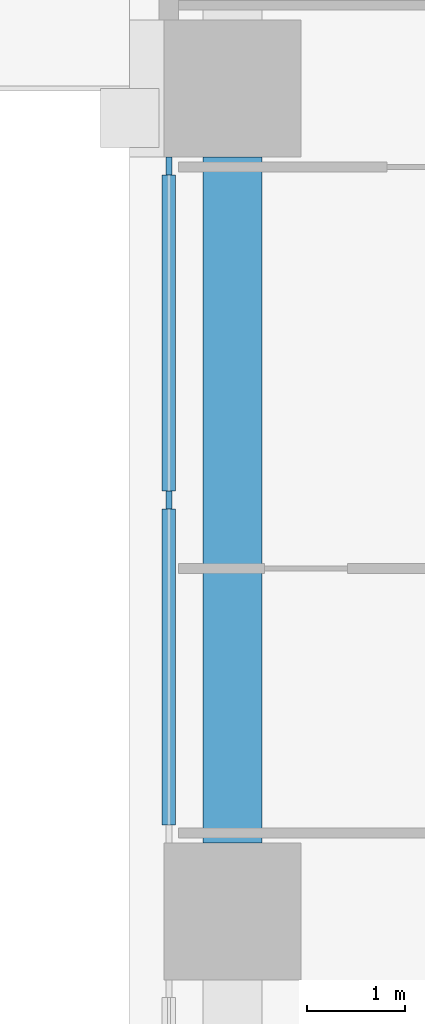
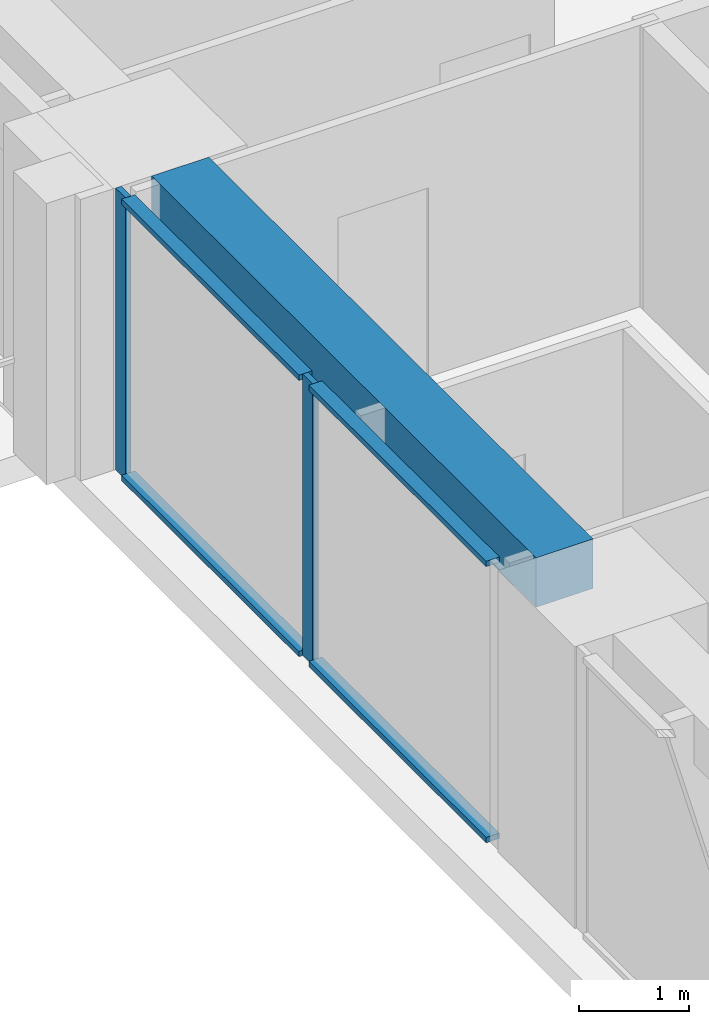
# One storey, part 3 of 16: 6 members, 1 beam, 1 element without a shape of its own.
"""IFC4 building model written with IfcOpenShell, lengths in metres."""

from ifc_helpers import new_model, si_unit, direction, frame, origin, origin_2d, place, context, subcontext, project, spatial, rectangle, extrude, material, material_profile, profile_set, type_object, element, aggregate, save


model = new_model("IFC4")

# Units and contexts
model_context = context("Model", 3, precision=1e-05, world=origin(), true_north=direction((0.0, 1.0)))
body_context = subcontext(model_context, "Body", "Model", "MODEL_VIEW")
ifc_project = project(units=[si_unit("LENGTHUNIT", "METRE"), si_unit("AREAUNIT", "SQUARE_METRE"), si_unit("VOLUMEUNIT", "CUBIC_METRE"), si_unit("PLANEANGLEUNIT", "RADIAN"), si_unit("MASSUNIT", "GRAM", prefix="KILO")], contexts=[model_context])

# Site, building, storey
site_placement = place(None, origin())
site = spatial("IfcSite", under=ifc_project, at=site_placement, CompositionType="ELEMENT")
building_placement = place(site_placement, origin())
building = spatial("IfcBuilding", under=site, at=building_placement, Name="Vermilion Ogive Tower", CompositionType="ELEMENT")
storey_placement = place(building_placement, frame((0.0, 0.0, 44.85009765625)))
storey = spatial("IfcBuildingStorey", under=building, at=storey_placement, Name="L09", CompositionType="ELEMENT", Elevation=44.85009765625)

# Curtain wall, members
ifc_material_1 = material(Name="Low-iron laminated glazing in aluminium frame", Category="aluminium")
curtain_wall_type = type_object("IfcCurtainWallType", Name="Curtain wall CW7", PredefinedType="NOTDEFINED", material=ifc_material_1)
curtain_wall_placement = place(storey_placement, origin())
curtain_wall = element("IfcCurtainWall", 1, at=curtain_wall_placement, inside=storey, type_object=curtain_wall_type, Name="Glazed skin W2", PredefinedType="NOTDEFINED")
ifc_material_2 = material(Name="Aluminium mullion", Category="aluminium")
ifc_material_profile_1 = material_profile(ifc_material_2, rectangle(XDim=0.06005859375, YDim=0.179931640625, at=origin_2d()), Name="AL 60x180")
ifc_profile_set_1 = profile_set([ifc_material_profile_1], Name="Aluminium mullion")
member_type_1 = type_object("IfcMemberType", Name="CW7 mullion 60x180", PredefinedType="MULLION", material=ifc_profile_set_1)
member_1_placement = place(storey_placement, frame((-25.85009765625, 3.409912109375, 0.0), z_axis=(0.0, 0.0, 1.0), x_axis=(1.0, 0.0, 0.0)))
member_1 = element("IfcMember", 2, at=member_1_placement, type_object=member_type_1, Name="CW7-W2 mullion 1", PredefinedType="MULLION", context=body_context, shape_type="SweptSolid", body=[
    extrude(rectangle(XDim=0.06005859375, YDim=0.179931640625, at=origin_2d()), origin(), (0.0, 0.0, 1.0), 3.1298828125),
])
member_2_placement = place(storey_placement, frame((-25.85009765625, 0.0, 0.0), z_axis=(0.0, 0.0, 1.0), x_axis=(1.0, 0.0, 0.0)))
member_2 = element("IfcMember", 3, at=member_2_placement, type_object=member_type_1, Name="CW7-W2 mullion 2", PredefinedType="MULLION", context=body_context, shape_type="SweptSolid", body=[
    extrude(rectangle(XDim=0.06005859375, YDim=0.179931640625, at=origin_2d()), origin(), (0.0, 0.0, 1.0), 3.1298828125),
])
ifc_material_3 = material(Name="Aluminium transom", Category="aluminium")
ifc_material_profile_2 = material_profile(ifc_material_3, rectangle(XDim=0.139892578125, YDim=0.06005859375, at=origin_2d()), Name="AL 60x140")
ifc_profile_set_2 = profile_set([ifc_material_profile_2], Name="Aluminium transom")
member_type_2 = type_object("IfcMemberType", Name="CW7 transom 60x140", PredefinedType="USERDEFINED", material=ifc_profile_set_2)
member_3_placement = place(storey_placement, frame((-25.85009765625, 3.320068359375, 0.02978515625), z_axis=(0.0, -1.0, 0.0), x_axis=(1.0, 0.0, 0.0)))
member_3 = element("IfcMember", 4, at=member_3_placement, type_object=member_type_2, Name="CW7-W2 transom 1.1", ObjectType="TRANSOM", PredefinedType="USERDEFINED", context=body_context, shape_type="SweptSolid", body=[
    extrude(rectangle(XDim=0.139892578125, YDim=0.06005859375, at=origin_2d()), origin(), (0.0, 0.0, 1.0), 3.22998046875),
])
member_4_placement = place(storey_placement, frame((-25.85009765625, 3.320068359375, 3.099853515625), z_axis=(0.0, -1.0, 0.0), x_axis=(1.0, 0.0, 0.0)))
member_4 = element("IfcMember", 5, at=member_4_placement, type_object=member_type_2, Name="CW7-W2 transom 1.2", ObjectType="TRANSOM", PredefinedType="USERDEFINED", context=body_context, shape_type="SweptSolid", body=[
    extrude(rectangle(XDim=0.139892578125, YDim=0.06005859375, at=origin_2d()), origin(), (0.0, 0.0, 1.0), 3.22998046875),
])
member_5_placement = place(storey_placement, frame((-25.85009765625, -0.090087890625, 0.02978515625), z_axis=(0.0, -1.0, 0.0), x_axis=(1.0, 0.0, 0.0)))
member_5 = element("IfcMember", 6, at=member_5_placement, type_object=member_type_2, Name="CW7-W2 transom 2.1", ObjectType="TRANSOM", PredefinedType="USERDEFINED", context=body_context, shape_type="SweptSolid", body=[
    extrude(rectangle(XDim=0.139892578125, YDim=0.06005859375, at=origin_2d()), origin(), (0.0, 0.0, 1.0), 3.22998046875),
])
member_6_placement = place(storey_placement, frame((-25.85009765625, -0.090087890625, 3.099853515625), z_axis=(0.0, -1.0, 0.0), x_axis=(1.0, 0.0, 0.0)))
member_6 = element("IfcMember", 7, at=member_6_placement, type_object=member_type_2, Name="CW7-W2 transom 2.2", ObjectType="TRANSOM", PredefinedType="USERDEFINED", context=body_context, shape_type="SweptSolid", body=[
    extrude(rectangle(XDim=0.139892578125, YDim=0.06005859375, at=origin_2d()), origin(), (0.0, 0.0, 1.0), 3.22998046875),
])
aggregate(curtain_wall, [member_1, member_2, member_3, member_4, member_5, member_6])

# Beam
ifc_material_4 = material(Name="Concrete B45", Category="concrete")
ifc_material_profile_3 = material_profile(ifc_material_4, rectangle(XDim=0.60009765625, YDim=0.550048828125, at=origin_2d()), Name="600 x 550")
ifc_profile_set_3 = profile_set([ifc_material_profile_3], Name="Concrete B45")
beam_type = type_object("IfcBeamType", Name="Edge beam 600 x 550 B45", PredefinedType="BEAM", material=ifc_profile_set_3)
beam_placement = place(storey_placement, frame((-25.199951171875, 3.5, 2.85498046875), z_axis=(0.0, -1.0, 0.0), x_axis=(1.0, 0.0, 0.0)))
element("IfcBeam", 8, at=beam_placement, inside=storey, type_object=beam_type, Name="L09-EB-15", PredefinedType="BEAM", context=body_context, shape_type="SweptSolid", body=[
    extrude(rectangle(XDim=0.60009765625, YDim=0.550048828125, at=origin_2d()), origin(), (0.0, 0.0, 1.0), 7.0),
])

save(model, "model.ifc")
